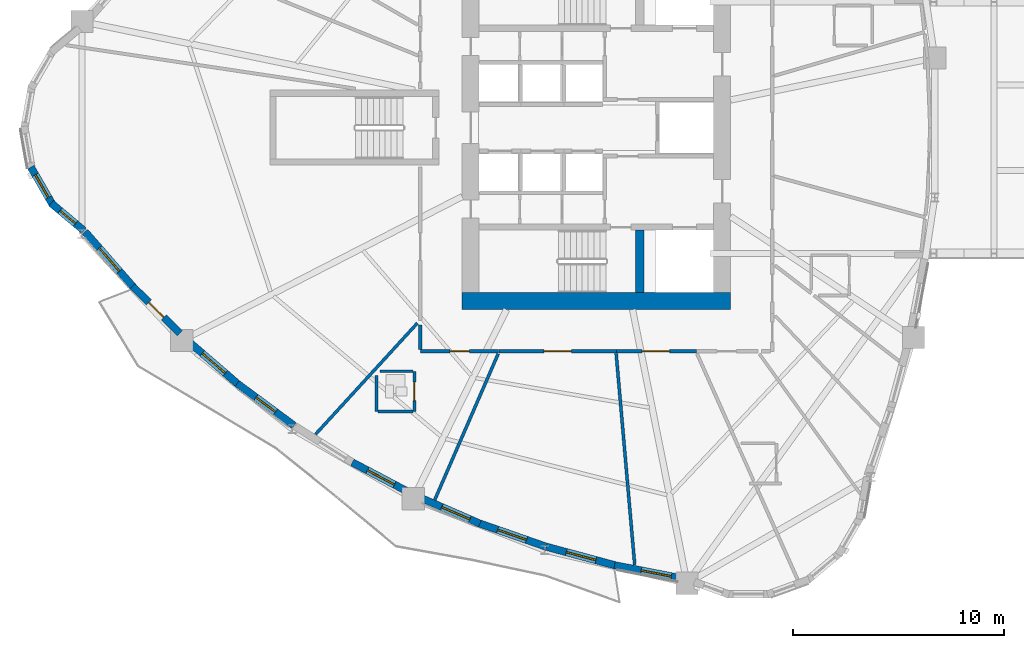
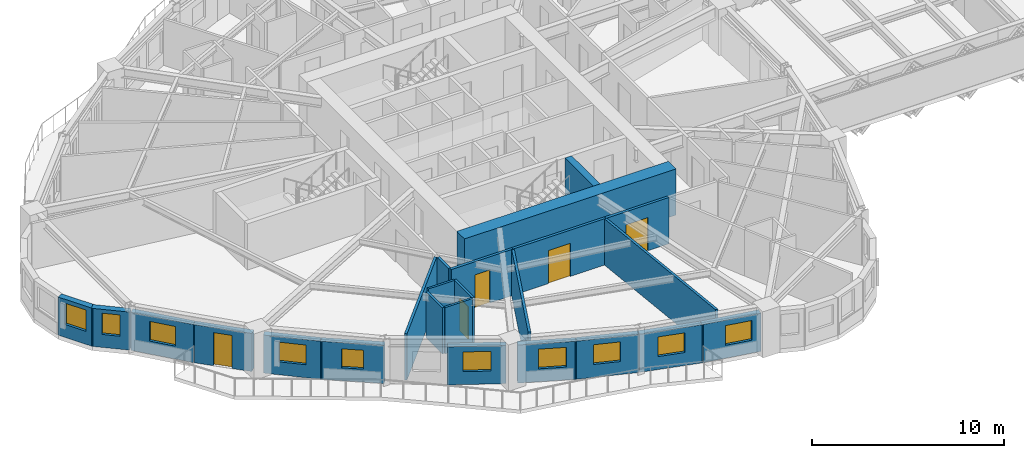
# One storey, part 4 of 16: 24 walls, 10 windows, 5 doors, 15 openings.
"""IFC4 building model written with IfcOpenShell, lengths in metres."""

from ifc_helpers import new_model, si_unit, direction, frame, frame_2d, origin, place, context, subcontext, project, spatial, rectangle, extrude, source, transform, mapped, material, layer, layer_set, type_object, element, fill, save


model = new_model("IFC4")

# Units and contexts
model_context = context("Model", 3, precision=1e-05, world=origin(), true_north=direction((0.0, 1.0)))
body_context = subcontext(model_context, "Body", "Model", "MODEL_VIEW")
ifc_project = project(units=[si_unit("LENGTHUNIT", "METRE"), si_unit("AREAUNIT", "SQUARE_METRE"), si_unit("VOLUMEUNIT", "CUBIC_METRE"), si_unit("PLANEANGLEUNIT", "RADIAN"), si_unit("MASSUNIT", "GRAM", prefix="KILO")], contexts=[model_context])

# Site, building, storey
site_placement = place(None, origin())
site = spatial("IfcSite", under=ifc_project, at=site_placement, CompositionType="ELEMENT")
building_placement = place(site_placement, origin())
building = spatial("IfcBuilding", under=site, at=building_placement, Name="Qafzar Sky-Pleat Residences", CompositionType="ELEMENT")
storey_placement = place(building_placement, frame((0.0, 0.0, 30.199951171875)))
storey = spatial("IfcBuildingStorey", under=building, at=storey_placement, Name="L08", CompositionType="ELEMENT", Elevation=30.199951171875)

# Wall, opening, door
ifc_material_1 = material(Name="Acoustic gypsum plasterboard partition", Category="gypsum")
ifc_layer_1 = layer(ifc_material_1, 0.159912109375)
ifc_layer_set_1 = layer_set([ifc_layer_1], Name="Acoustic gypsum plasterboard partition")
wall_type_1 = type_object("IfcWallType", Name="PART-COR-160", PredefinedType="PARTITIONING", material=ifc_layer_set_1)
wall_1_placement = place(storey_placement, frame((31.2939453125, 15.419921875, 0.0), z_axis=(0.0, 0.0, 1.0), x_axis=(-1.0, 0.0, 0.0)))
wall_1 = element("IfcWall", 1, at=wall_1_placement, inside=storey, type_object=wall_type_1, Name="L08 Partition Wall PART-L08-PW-003", PredefinedType="PARTITIONING", context=body_context, shape_type="SweptSolid", body=[
    extrude(rectangle(XDim=5.553955078125, YDim=0.159912109375, at=frame_2d((2.77685546875, 0.0))), origin(), (0.0, 0.0, 1.0), 2.93505859375),
])
opening_1_placement = place(wall_1_placement, frame((2.12646484375, 0.0, 0.0)))
opening_1 = element("IfcOpeningElement", 2, at=opening_1_placement, cuts=wall_1, Name="Opening ID-05", PredefinedType="OPENING", context=body_context, shape_type="SweptSolid", body=[
    extrude(rectangle(XDim=1.300048828125, YDim=2.10009765625, at=frame_2d((0.64990234375, 1.050048828125))), frame((0.0, 0.08984375, 0.0), z_axis=(0.0, -1.0, 0.0), x_axis=(1.0, 0.0, 0.0)), (0.0, 0.0, 1.0), 0.179931640625),
])
ifc_material_2 = material(Name="Timber-faced fire door", Category="wood")
door_type_1 = type_object("IfcDoorType", Name="DR-LNG-1300", OperationType="DOUBLE_DOOR_SINGLE_SWING", PredefinedType="DOOR", material=ifc_material_2)
shared_shape_1 = source(origin(), body_context, "Body", "SweptSolid", [
    extrude(rectangle(XDim=1.300048828125, YDim=2.10009765625, at=frame_2d((0.64990234375, 1.050048828125))), frame((0.0, 0.02490234375, 0.0), z_axis=(0.0, -1.0, 0.0), x_axis=(1.0, 0.0, 0.0)), (0.0, 0.0, 1.0), 0.050048828125),
])
door_1_placement = place(opening_1_placement, origin())
door_1 = element("IfcDoor", 3, at=door_1_placement, inside=storey, type_object=door_type_1, Name="L08 Tutorial Huddle Room Door", OperationType="DOUBLE_DOOR_SINGLE_SWING", OverallHeight=2.10009765625, OverallWidth=1.300048828125, PredefinedType="DOOR", context=body_context, shape_type="MappedRepresentation", body=[
    mapped(shared_shape_1, transform((0.0, 0.0, 0.0), x_axis=(1.0, 0.0, 0.0), y_axis=(0.0, 1.0, 0.0), z_axis=(0.0, 0.0, 1.0), scale=1.0)),
])
fill(opening_1, door_1)

wall_2_placement = place(storey_placement, frame((35.080078125, 15.419921875, 0.0), z_axis=(0.0, 0.0, 1.0), x_axis=(-1.0, 0.0, 0.0)))
wall_2 = element("IfcWall", 4, at=wall_2_placement, inside=storey, type_object=wall_type_1, Name="L08 Partition Wall PART-L08-PW-009", PredefinedType="PARTITIONING", context=body_context, shape_type="SweptSolid", body=[
    extrude(rectangle(XDim=3.77099609375, YDim=0.159912109375, at=frame_2d((1.885498046875, 0.0))), origin(), (0.0, 0.0, 1.0), 2.93505859375),
])
opening_2_placement = place(wall_2_placement, frame((1.258544921875, 0.0, 0.0)))
opening_2 = element("IfcOpeningElement", 5, at=opening_2_placement, cuts=wall_2, Name="Opening ID-05", PredefinedType="OPENING", context=body_context, shape_type="SweptSolid", body=[
    extrude(rectangle(XDim=1.300048828125, YDim=2.10009765625, at=frame_2d((0.64990234375, 1.050048828125))), frame((0.0, 0.08984375, 0.0), z_axis=(0.0, -1.0, 0.0), x_axis=(1.0, 0.0, 0.0)), (0.0, 0.0, 1.0), 0.179931640625),
])
door_2_placement = place(opening_2_placement, origin())
door_2 = element("IfcDoor", 6, at=door_2_placement, inside=storey, type_object=door_type_1, Name="L08 Research Conference Room Door", OperationType="DOUBLE_DOOR_SINGLE_SWING", OverallHeight=2.10009765625, OverallWidth=1.300048828125, PredefinedType="DOOR", context=body_context, shape_type="MappedRepresentation", body=[
    mapped(shared_shape_1, transform((0.0, 0.0, 0.0), x_axis=(1.0, 0.0, 0.0), y_axis=(0.0, 1.0, 0.0), z_axis=(0.0, 0.0, 1.0), scale=1.0)),
])
fill(opening_2, door_2)

wall_3_placement = place(storey_placement, frame((25.72509765625, 15.419921875, 0.0), z_axis=(0.0, 0.0, 1.0), x_axis=(-1.0, 0.0, 0.0)))
wall_3 = element("IfcWall", 7, at=wall_3_placement, inside=storey, type_object=wall_type_1, Name="L08 Partition Wall PART-L08-PW-011", PredefinedType="PARTITIONING", context=body_context, shape_type="SweptSolid", body=[
    extrude(rectangle(XDim=3.705078125, YDim=0.159912109375, at=frame_2d((1.8525390625, 0.0))), origin(), (0.0, 0.0, 1.0), 2.93505859375),
])
opening_3_placement = place(wall_3_placement, frame((1.376953125, 0.0, 0.0)))
opening_3 = element("IfcOpeningElement", 8, at=opening_3_placement, cuts=wall_3, Name="Opening ID-04", PredefinedType="OPENING", context=body_context, shape_type="SweptSolid", body=[
    extrude(rectangle(XDim=0.919921875, YDim=2.10009765625, at=frame_2d((0.4599609375, 1.050048828125))), frame((0.0, 0.08984375, 0.0), z_axis=(0.0, -1.0, 0.0), x_axis=(1.0, 0.0, 0.0)), (0.0, 0.0, 1.0), 0.179931640625),
])
door_type_2 = type_object("IfcDoorType", Name="DR-BED-920", OperationType="NOTDEFINED", PredefinedType="DOOR", material=ifc_material_2)
shared_shape_2 = source(origin(), body_context, "Body", "SweptSolid", [
    extrude(rectangle(XDim=0.919921875, YDim=2.10009765625, at=frame_2d((0.4599609375, 1.050048828125))), frame((0.0, 0.02490234375, 0.0), z_axis=(0.0, -1.0, 0.0), x_axis=(1.0, 0.0, 0.0)), (0.0, 0.0, 1.0), 0.050048828125),
])
door_3_placement = place(opening_3_placement, origin())
door_3 = element("IfcDoor", 9, at=door_3_placement, inside=storey, type_object=door_type_2, Name="L08 Co-Living Bedroom 6 Door", OperationType="SINGLE_SWING_LEFT", OverallHeight=2.10009765625, OverallWidth=0.919921875, PredefinedType="DOOR", context=body_context, shape_type="MappedRepresentation", body=[
    mapped(shared_shape_2, transform((0.0, 0.0, 0.0), x_axis=(1.0, 0.0, 0.0), y_axis=(0.0, 1.0, 0.0), z_axis=(0.0, 0.0, 1.0), scale=1.0)),
])
fill(opening_3, door_3)

# Walls
wall_4_placement = place(storey_placement, frame((22.02001953125, 15.508056640625, 0.0), z_axis=(0.0, 0.0, 1.0), x_axis=(0.0, 1.0, 0.0)))
element("IfcWall", 10, at=wall_4_placement, inside=storey, type_object=wall_type_1, Name="L08 Partition Wall PART-L08-PW-088", PredefinedType="PARTITIONING", context=body_context, shape_type="SweptSolid", body=[
    extrude(rectangle(XDim=1.1572265625, YDim=0.159912109375, at=frame_2d((0.57861328125, 0.0))), origin(), (0.0, 0.0, 1.0), 2.93505859375),
])
ifc_layer_2 = layer(ifc_material_1, 0.14501953125)
ifc_layer_set_2 = layer_set([ifc_layer_2], Name="Acoustic gypsum plasterboard partition")
wall_type_2 = type_object("IfcWallType", Name="PART-UNIT-145", PredefinedType="PARTITIONING", material=ifc_layer_set_2)
wall_5_placement = place(storey_placement, frame((31.287353515625, 15.32568359375, 0.0), z_axis=(0.0, 0.0, 1.0), x_axis=(0.087404477037, -0.99617290537, 0.0)))
element("IfcWall", 11, at=wall_5_placement, inside=storey, type_object=wall_type_2, Name="L08 Partition Wall PART-L08-PW-037", PredefinedType="PARTITIONING", context=body_context, shape_type="SweptSolid", body=[
    extrude(rectangle(XDim=10.047119140625, YDim=0.14501953125, at=frame_2d((5.0234375, 0.0))), origin(), (0.0, 0.0, 1.0), 2.93505859375),
])
wall_6_placement = place(storey_placement, frame((22.705078125, 8.392333984375, 0.0), z_axis=(0.0, 0.0, 1.0), x_axis=(0.398228422372, 0.917286282256, 0.0)))
element("IfcWall", 12, at=wall_6_placement, inside=storey, type_object=wall_type_2, Name="L08 Partition Wall PART-L08-PW-040", PredefinedType="PARTITIONING", context=body_context, shape_type="SweptSolid", body=[
    extrude(rectangle(XDim=7.53466796875, YDim=0.14501953125, at=frame_2d((3.767333984375, 0.0))), origin(), (0.0, 0.0, 1.0), 2.93505859375),
])
wall_7_placement = place(storey_placement, frame((17.064453125, 11.493408203125, 0.0), z_axis=(0.0, 0.0, 1.0), x_axis=(0.67534166785, 0.737505004502, 0.0)))
element("IfcWall", 13, at=wall_7_placement, inside=storey, type_object=wall_type_2, Name="L08 Partition Wall PART-L08-PW-045", PredefinedType="PARTITIONING", context=body_context, shape_type="SweptSolid", body=[
    extrude(rectangle(XDim=7.132080078125, YDim=0.14501953125, at=frame_2d((3.56591796875, 0.0))), origin(), (0.0, 0.0, 1.0), 2.93505859375),
])

# Wall, opening, door
ifc_material_3 = material(Name="Moisture-resistant gypsum partition", Category="gypsum")
ifc_layer_3 = layer(ifc_material_3, 0.1298828125)
ifc_layer_set_3 = layer_set([ifc_layer_3], Name="Moisture-resistant gypsum partition")
wall_type_3 = type_object("IfcWallType", Name="PART-WET-130", PredefinedType="PARTITIONING", material=ifc_layer_set_3)
wall_8_placement = place(storey_placement, frame((21.743896484375, 12.572998046875, 0.0), z_axis=(0.0, 0.0, 1.0), x_axis=(0.0, 1.0, 0.0)))
wall_8 = element("IfcWall", 14, at=wall_8_placement, inside=storey, type_object=wall_type_3, Name="L08 Partition Wall PART-L08-PW-021", PredefinedType="PARTITIONING", context=body_context, shape_type="SweptSolid", body=[
    extrude(rectangle(XDim=1.89990234375, YDim=0.1298828125, at=frame_2d((0.949951171875, 0.0))), origin(), (0.0, 0.0, 1.0), 2.93505859375),
])
opening_4_placement = place(wall_8_placement, frame((0.510009765625, 0.0, 0.0)))
opening_4 = element("IfcOpeningElement", 15, at=opening_4_placement, cuts=wall_8, Name="Opening ID-07", PredefinedType="OPENING", context=body_context, shape_type="SweptSolid", body=[
    extrude(rectangle(XDim=0.8798828125, YDim=2.050048828125, at=frame_2d((0.43994140625, 1.02490234375))), frame((0.0, 0.074951171875, 0.0), z_axis=(0.0, -1.0, 0.0), x_axis=(1.0, 0.0, 0.0)), (0.0, 0.0, 1.0), 0.14990234375),
])
door_type_3 = type_object("IfcDoorType", Name="DR-WET-880", OperationType="NOTDEFINED", PredefinedType="DOOR", material=ifc_material_2)
shared_shape_3 = source(origin(), body_context, "Body", "SweptSolid", [
    extrude(rectangle(XDim=0.8798828125, YDim=2.050048828125, at=frame_2d((0.43994140625, 1.02490234375))), frame((0.0, 0.02490234375, 0.0), z_axis=(0.0, -1.0, 0.0), x_axis=(1.0, 0.0, 0.0)), (0.0, 0.0, 1.0), 0.050048828125),
])
door_4_placement = place(opening_4_placement, origin())
door_4 = element("IfcDoor", 16, at=door_4_placement, inside=storey, type_object=door_type_3, Name="L08 En-suite Bathroom 6 Door", OperationType="SINGLE_SWING_LEFT", OverallHeight=2.050048828125, OverallWidth=0.8798828125, PredefinedType="DOOR", context=body_context, shape_type="MappedRepresentation", body=[
    mapped(shared_shape_3, transform((0.0, 0.0, 0.0), x_axis=(1.0, 0.0, 0.0), y_axis=(0.0, 1.0, 0.0), z_axis=(0.0, 0.0, 1.0), scale=1.0)),
])
fill(opening_4, door_4)

# Walls
wall_9_placement = place(storey_placement, frame((19.944091796875, 12.572998046875, 0.0), z_axis=(0.0, 0.0, 1.0), x_axis=(0.0, 1.0, 0.0)))
element("IfcWall", 17, at=wall_9_placement, inside=storey, type_object=wall_type_3, Name="L08 Partition Wall PART-L08-PW-062", PredefinedType="PARTITIONING", context=body_context, shape_type="SweptSolid", body=[
    extrude(rectangle(XDim=1.713623046875, YDim=0.1298828125, at=frame_2d((0.85693359375, 0.0))), origin(), (0.0, 0.0, 1.0), 2.93505859375),
])
wall_10_placement = place(storey_placement, frame((20.10986328125, 14.472900390625, 0.0), z_axis=(0.0, 0.0, 1.0), x_axis=(1.0, 0.0, 0.0)))
element("IfcWall", 18, at=wall_10_placement, inside=storey, type_object=wall_type_3, Name="L08 Partition Wall PART-L08-PW-072", PredefinedType="PARTITIONING", context=body_context, shape_type="SweptSolid", body=[
    extrude(rectangle(XDim=1.56103515625, YDim=0.1298828125, at=frame_2d((0.780517578125, 0.0))), origin(), (0.0, 0.0, 1.0), 2.93505859375),
])
wall_11_placement = place(storey_placement, frame((20.01708984375, 12.572998046875, 0.0), z_axis=(0.0, 0.0, 1.0), x_axis=(1.0, 0.0, 0.0)))
element("IfcWall", 19, at=wall_11_placement, inside=storey, type_object=wall_type_3, Name="L08 Partition Wall PART-L08-PW-073", PredefinedType="PARTITIONING", context=body_context, shape_type="SweptSolid", body=[
    extrude(rectangle(XDim=1.65380859375, YDim=0.1298828125, at=frame_2d((0.826904296875, 0.0))), origin(), (0.0, 0.0, 1.0), 2.93505859375),
])

# Wall, opening, window
ifc_material_4 = material(Name="Precast concrete C40/50 with honed Riyadh limestone", Category="concrete")
ifc_layer_4 = layer(ifc_material_4, 0.35009765625)
ifc_layer_set_4 = layer_set([ifc_layer_4], Name="Precast concrete C40/50 with honed Riyadh limestone")
wall_type_4 = type_object("IfcWallType", Name="WALL-EXT-350", PredefinedType="SOLIDWALL", material=ifc_layer_set_4)
wall_12_placement = place(storey_placement, frame((3.59228515625, 24.13671875, 0.0), z_axis=(0.0, 0.0, 1.0), x_axis=(0.499995423472, -0.866028046028, 0.0)))
wall_12 = element("IfcWall", 20, at=wall_12_placement, inside=storey, type_object=wall_type_4, Name="L08 Limestone Facade Wall 5", PredefinedType="SOLIDWALL", context=body_context, shape_type="SweptSolid", body=[
    extrude(rectangle(XDim=2.09033203125, YDim=0.35009765625, at=frame_2d((1.045166015625, 0.0))), origin(), (0.0, 0.0, 1.0), 2.4150390625),
])
opening_5_placement = place(wall_12_placement, frame((0.420166015625, 0.0, 0.820068359375)))
opening_5 = element("IfcOpeningElement", 21, at=opening_5_placement, cuts=wall_12, Name="Opening WN-11", PredefinedType="OPENING", context=body_context, shape_type="SweptSolid", body=[
    extrude(rectangle(XDim=1.25, YDim=1.35009765625, at=frame_2d((0.625, 0.675048828125))), frame((0.0, 0.18505859375, 0.0), z_axis=(0.0, -1.0, 0.0), x_axis=(1.0, 0.0, 0.0)), (0.0, 0.0, 1.0), 0.3701171875),
])
ifc_material_5 = material(Name="Solar-control low-E glass in bronze aluminium frame", Category="glass")
window_type_1 = type_object("IfcWindowType", Name="WIN-11", PartitioningType="SINGLE_PANEL", PredefinedType="WINDOW", material=ifc_material_5)
shared_shape_4 = source(origin(), body_context, "Body", "SweptSolid", [
    extrude(rectangle(XDim=1.25, YDim=1.35009765625, at=frame_2d((0.625, 0.675048828125))), frame((0.0, 0.030029296875, 0.0), z_axis=(0.0, -1.0, 0.0), x_axis=(1.0, 0.0, 0.0)), (0.0, 0.0, 1.0), 0.06005859375),
])
window_1_placement = place(opening_5_placement, origin())
window_1 = element("IfcWindow", 22, at=window_1_placement, inside=storey, type_object=window_type_1, Name="L08 Punched Facade Window 05", OverallHeight=1.35009765625, OverallWidth=1.25, PartitioningType="SINGLE_PANEL", PredefinedType="WINDOW", context=body_context, shape_type="MappedRepresentation", body=[
    mapped(shared_shape_4, transform((0.0, 0.0, 0.0), x_axis=(1.0, 0.0, 0.0), y_axis=(0.0, 1.0, 0.0), z_axis=(0.0, 0.0, 1.0), scale=1.0)),
])
fill(opening_5, window_1)

wall_13_placement = place(storey_placement, frame((4.55029296875, 22.430419921875, 0.0), z_axis=(0.0, 0.0, 1.0), x_axis=(0.766040796373, -0.642791955684, 0.0)))
wall_13 = element("IfcWall", 23, at=wall_13_placement, inside=storey, type_object=wall_type_4, Name="L08 Limestone Facade Wall 6", PredefinedType="SOLIDWALL", context=body_context, shape_type="SweptSolid", body=[
    extrude(rectangle(XDim=2.032470703125, YDim=0.35009765625, at=frame_2d((1.01611328125, 0.0))), origin(), (0.0, 0.0, 1.0), 2.4150390625),
])
opening_6_placement = place(wall_13_placement, frame((0.55126953125, 0.0, 0.820068359375)))
opening_6 = element("IfcOpeningElement", 24, at=opening_6_placement, cuts=wall_13, Name="Opening WN-12", PredefinedType="OPENING", context=body_context, shape_type="SweptSolid", body=[
    extrude(rectangle(XDim=0.949951171875, YDim=1.35009765625, at=frame_2d((0.47509765625, 0.675048828125))), frame((0.0, 0.18505859375, 0.0), z_axis=(0.0, -1.0, 0.0), x_axis=(1.0, 0.0, 0.0)), (0.0, 0.0, 1.0), 0.3701171875),
])
window_type_2 = type_object("IfcWindowType", Name="WIN-12", PartitioningType="SINGLE_PANEL", PredefinedType="WINDOW", material=ifc_material_5)
shared_shape_5 = source(origin(), body_context, "Body", "SweptSolid", [
    extrude(rectangle(XDim=0.949951171875, YDim=1.35009765625, at=frame_2d((0.47509765625, 0.675048828125))), frame((0.0, 0.030029296875, 0.0), z_axis=(0.0, -1.0, 0.0), x_axis=(1.0, 0.0, 0.0)), (0.0, 0.0, 1.0), 0.06005859375),
])
window_2_placement = place(opening_6_placement, origin())
window_2 = element("IfcWindow", 25, at=window_2_placement, inside=storey, type_object=window_type_2, Name="L08 Punched Facade Window 06", OverallHeight=1.35009765625, OverallWidth=0.949951171875, PartitioningType="SINGLE_PANEL", PredefinedType="WINDOW", context=body_context, shape_type="MappedRepresentation", body=[
    mapped(shared_shape_5, transform((0.0, 0.0, 0.0), x_axis=(1.0, 0.0, 0.0), y_axis=(0.0, 1.0, 0.0), z_axis=(0.0, 0.0, 1.0), scale=1.0)),
])
fill(opening_6, window_2)

wall_14_placement = place(storey_placement, frame((6.155029296875, 21.0771484375, 0.0), z_axis=(0.0, 0.0, 1.0), x_axis=(0.657593785467, -0.753372692175, 0.0)))
wall_14 = element("IfcWall", 26, at=wall_14_placement, inside=storey, type_object=wall_type_4, Name="L08 Limestone Facade Wall 7", PredefinedType="SOLIDWALL", context=body_context, shape_type="SweptSolid", body=[
    extrude(rectangle(XDim=3.512451171875, YDim=0.35009765625, at=frame_2d((1.75634765625, 0.0))), origin(), (0.0, 0.0, 1.0), 2.4150390625),
])
opening_7_placement = place(wall_14_placement, frame((1.021240234375, 0.0, 0.820068359375)))
opening_7 = element("IfcOpeningElement", 27, at=opening_7_placement, cuts=wall_14, Name="Opening WN-15", PredefinedType="OPENING", context=body_context, shape_type="SweptSolid", body=[
    extrude(rectangle(XDim=1.449951171875, YDim=1.25, at=frame_2d((0.72509765625, 0.625))), frame((0.0, 0.18505859375, 0.0), z_axis=(0.0, -1.0, 0.0), x_axis=(1.0, 0.0, 0.0)), (0.0, 0.0, 1.0), 0.3701171875),
])
window_type_3 = type_object("IfcWindowType", Name="WIN-15", PartitioningType="SINGLE_PANEL", PredefinedType="WINDOW", material=ifc_material_5)
shared_shape_6 = source(origin(), body_context, "Body", "SweptSolid", [
    extrude(rectangle(XDim=1.449951171875, YDim=1.25, at=frame_2d((0.72509765625, 0.625))), frame((0.0, 0.030029296875, 0.0), z_axis=(0.0, -1.0, 0.0), x_axis=(1.0, 0.0, 0.0)), (0.0, 0.0, 1.0), 0.06005859375),
])
window_3_placement = place(opening_7_placement, origin())
window_3 = element("IfcWindow", 28, at=window_3_placement, inside=storey, type_object=window_type_3, Name="L08 Punched Facade Window 07", OverallHeight=1.25, OverallWidth=1.449951171875, PartitioningType="SINGLE_PANEL", PredefinedType="WINDOW", context=body_context, shape_type="MappedRepresentation", body=[
    mapped(shared_shape_6, transform((0.0, 0.0, 0.0), x_axis=(1.0, 0.0, 0.0), y_axis=(0.0, 1.0, 0.0), z_axis=(0.0, 0.0, 1.0), scale=1.0)),
])
fill(opening_7, window_3)

# Wall, opening, door
wall_15_placement = place(storey_placement, frame((8.40478515625, 18.495361328125, 0.0), z_axis=(0.0, 0.0, 1.0), x_axis=(0.708380670467, -0.705830592783, 0.0)))
wall_15 = element("IfcWall", 29, at=wall_15_placement, inside=storey, type_object=wall_type_4, Name="L08 Limestone Facade Wall 8", PredefinedType="SOLIDWALL", context=body_context, shape_type="SweptSolid", body=[
    extrude(rectangle(XDim=3.159423828125, YDim=0.35009765625, at=frame_2d((1.57958984375, 0.0))), origin(), (0.0, 0.0, 1.0), 2.4150390625),
])
opening_8_placement = place(wall_15_placement, frame((1.07958984375, 0.0, 0.0)))
opening_8 = element("IfcOpeningElement", 30, at=opening_8_placement, cuts=wall_15, Name="Opening ED-05", PredefinedType="OPENING", context=body_context, shape_type="SweptSolid", body=[
    extrude(rectangle(XDim=1.0, YDim=2.10009765625, at=frame_2d((0.5, 1.050048828125))), frame((0.0, 0.18505859375, 0.0), z_axis=(0.0, -1.0, 0.0), x_axis=(1.0, 0.0, 0.0)), (0.0, 0.0, 1.0), 0.3701171875),
])
ifc_material_6 = material(Name="Glazed bronze aluminium door", Category="aluminium")
door_type_4 = type_object("IfcDoorType", Name="DR-BAL-1000", OperationType="NOTDEFINED", PredefinedType="DOOR", material=ifc_material_6)
shared_shape_7 = source(origin(), body_context, "Body", "SweptSolid", [
    extrude(rectangle(XDim=1.0, YDim=2.10009765625, at=frame_2d((0.5, 1.050048828125))), frame((0.0, 0.02490234375, 0.0), z_axis=(0.0, -1.0, 0.0), x_axis=(1.0, 0.0, 0.0)), (0.0, 0.0, 1.0), 0.050048828125),
])
door_5_placement = place(opening_8_placement, origin())
door_5 = element("IfcDoor", 31, at=door_5_placement, inside=storey, type_object=door_type_4, Name="L08 Glazed Balcony Door 2", OperationType="SINGLE_SWING_LEFT", OverallHeight=2.10009765625, OverallWidth=1.0, PredefinedType="DOOR", context=body_context, shape_type="MappedRepresentation", body=[
    mapped(shared_shape_7, transform((0.0, 0.0, 0.0), x_axis=(1.0, 0.0, 0.0), y_axis=(0.0, 1.0, 0.0), z_axis=(0.0, 0.0, 1.0), scale=1.0)),
])
fill(opening_8, door_5)

# Wall, opening, window
wall_16_placement = place(storey_placement, frame((11.0732421875, 15.8662109375, 0.0), z_axis=(0.0, 0.0, 1.0), x_axis=(0.75751592545, -0.652816683833, 0.0)))
wall_16 = element("IfcWall", 32, at=wall_16_placement, inside=storey, type_object=wall_type_4, Name="L08 Limestone Facade Wall 9", PredefinedType="SOLIDWALL", context=body_context, shape_type="SweptSolid", body=[
    extrude(rectangle(XDim=3.103759765625, YDim=0.35009765625, at=frame_2d((1.5517578125, 0.0))), origin(), (0.0, 0.0, 1.0), 2.4150390625),
])
opening_9_placement = place(wall_16_placement, frame((0.82177734375, 0.0, 0.820068359375)))
opening_9 = element("IfcOpeningElement", 33, at=opening_9_placement, cuts=wall_16, Name="Opening WN-15", PredefinedType="OPENING", context=body_context, shape_type="SweptSolid", body=[
    extrude(rectangle(XDim=1.449951171875, YDim=1.25, at=frame_2d((0.72509765625, 0.625))), frame((0.0, 0.18505859375, 0.0), z_axis=(0.0, -1.0, 0.0), x_axis=(1.0, 0.0, 0.0)), (0.0, 0.0, 1.0), 0.3701171875),
])
window_4_placement = place(opening_9_placement, origin())
window_4 = element("IfcWindow", 34, at=window_4_placement, inside=storey, type_object=window_type_3, Name="L08 Punched Facade Window 09", OverallHeight=1.25, OverallWidth=1.449951171875, PartitioningType="SINGLE_PANEL", PredefinedType="WINDOW", context=body_context, shape_type="MappedRepresentation", body=[
    mapped(shared_shape_6, transform((0.0, 0.0, 0.0), x_axis=(1.0, 0.0, 0.0), y_axis=(0.0, 1.0, 0.0), z_axis=(0.0, 0.0, 1.0), scale=1.0)),
])
fill(opening_9, window_4)

wall_17_placement = place(storey_placement, frame((13.354736328125, 13.8955078125, 0.0), z_axis=(0.0, 0.0, 1.0), x_axis=(0.803836316566, -0.594850549441, 0.0)))
wall_17 = element("IfcWall", 35, at=wall_17_placement, inside=storey, type_object=wall_type_4, Name="L08 Limestone Facade Wall 10", PredefinedType="SOLIDWALL", context=body_context, shape_type="SweptSolid", body=[
    extrude(rectangle(XDim=3.345703125, YDim=0.35009765625, at=frame_2d((1.6728515625, 0.0))), origin(), (0.0, 0.0, 1.0), 2.4150390625),
])
opening_10_placement = place(wall_17_placement, frame((1.10791015625, 0.0, 0.820068359375)))
opening_10 = element("IfcOpeningElement", 36, at=opening_10_placement, cuts=wall_17, Name="Opening WN-16", PredefinedType="OPENING", context=body_context, shape_type="SweptSolid", body=[
    extrude(rectangle(XDim=1.14990234375, YDim=1.199951171875, at=frame_2d((0.574951171875, 0.60009765625))), frame((0.0, 0.18505859375, 0.0), z_axis=(0.0, -1.0, 0.0), x_axis=(1.0, 0.0, 0.0)), (0.0, 0.0, 1.0), 0.3701171875),
])
window_type_4 = type_object("IfcWindowType", Name="WIN-16", PartitioningType="SINGLE_PANEL", PredefinedType="WINDOW", material=ifc_material_5)
shared_shape_8 = source(origin(), body_context, "Body", "SweptSolid", [
    extrude(rectangle(XDim=1.14990234375, YDim=1.199951171875, at=frame_2d((0.574951171875, 0.60009765625))), frame((0.0, 0.030029296875, 0.0), z_axis=(0.0, -1.0, 0.0), x_axis=(1.0, 0.0, 0.0)), (0.0, 0.0, 1.0), 0.06005859375),
])
window_5_placement = place(opening_10_placement, origin())
window_5 = element("IfcWindow", 37, at=window_5_placement, inside=storey, type_object=window_type_4, Name="L08 Punched Facade Window 10", OverallHeight=1.199951171875, OverallWidth=1.14990234375, PartitioningType="SINGLE_PANEL", PredefinedType="WINDOW", context=body_context, shape_type="MappedRepresentation", body=[
    mapped(shared_shape_8, transform((0.0, 0.0, 0.0), x_axis=(1.0, 0.0, 0.0), y_axis=(0.0, 1.0, 0.0), z_axis=(0.0, 0.0, 1.0), scale=1.0)),
])
fill(opening_10, window_5)

wall_18_placement = place(storey_placement, frame((18.804931640625, 10.1630859375, 0.0), z_axis=(0.0, 0.0, 1.0), x_axis=(0.884387509242, -0.466753396877, 0.0)))
wall_18 = element("IfcWall", 38, at=wall_18_placement, inside=storey, type_object=wall_type_4, Name="L08 Limestone Facade Wall 12", PredefinedType="SOLIDWALL", context=body_context, shape_type="SweptSolid", body=[
    extrude(rectangle(XDim=3.046875, YDim=0.35009765625, at=frame_2d((1.5234375, 0.0))), origin(), (0.0, 0.0, 1.0), 2.4150390625),
])
opening_11_placement = place(wall_18_placement, frame((0.803466796875, 0.0, 0.820068359375)))
opening_11 = element("IfcOpeningElement", 39, at=opening_11_placement, cuts=wall_18, Name="Opening WN-15", PredefinedType="OPENING", context=body_context, shape_type="SweptSolid", body=[
    extrude(rectangle(XDim=1.449951171875, YDim=1.25, at=frame_2d((0.72509765625, 0.625))), frame((0.0, 0.18505859375, 0.0), z_axis=(0.0, -1.0, 0.0), x_axis=(1.0, 0.0, 0.0)), (0.0, 0.0, 1.0), 0.3701171875),
])
window_6_placement = place(opening_11_placement, origin())
window_6 = element("IfcWindow", 40, at=window_6_placement, inside=storey, type_object=window_type_3, Name="L08 Punched Facade Window 12", OverallHeight=1.25, OverallWidth=1.449951171875, PartitioningType="SINGLE_PANEL", PredefinedType="WINDOW", context=body_context, shape_type="MappedRepresentation", body=[
    mapped(shared_shape_6, transform((0.0, 0.0, 0.0), x_axis=(1.0, 0.0, 0.0), y_axis=(0.0, 1.0, 0.0), z_axis=(0.0, 0.0, 1.0), scale=1.0)),
])
fill(opening_11, window_6)

wall_19_placement = place(storey_placement, frame((22.028076171875, 8.487060546875, 0.0), z_axis=(0.0, 0.0, 1.0), x_axis=(0.917081449464, -0.398699906006, 0.0)))
wall_19 = element("IfcWall", 41, at=wall_19_placement, inside=storey, type_object=wall_type_4, Name="L08 Limestone Facade Wall 13", PredefinedType="SOLIDWALL", context=body_context, shape_type="SweptSolid", body=[
    extrude(rectangle(XDim=3.06591796875, YDim=0.35009765625, at=frame_2d((1.532958984375, 0.0))), origin(), (0.0, 0.0, 1.0), 2.4150390625),
])
opening_12_placement = place(wall_19_placement, frame((1.097412109375, 0.0, 0.820068359375)))
opening_12 = element("IfcOpeningElement", 42, at=opening_12_placement, cuts=wall_19, Name="Opening WN-15", PredefinedType="OPENING", context=body_context, shape_type="SweptSolid", body=[
    extrude(rectangle(XDim=1.449951171875, YDim=1.25, at=frame_2d((0.72509765625, 0.625))), frame((0.0, 0.18505859375, 0.0), z_axis=(0.0, -1.0, 0.0), x_axis=(1.0, 0.0, 0.0)), (0.0, 0.0, 1.0), 0.3701171875),
])
window_7_placement = place(opening_12_placement, origin())
window_7 = element("IfcWindow", 43, at=window_7_placement, inside=storey, type_object=window_type_3, Name="L08 Punched Facade Window 13-2", OverallHeight=1.25, OverallWidth=1.449951171875, PartitioningType="SINGLE_PANEL", PredefinedType="WINDOW", context=body_context, shape_type="MappedRepresentation", body=[
    mapped(shared_shape_6, transform((0.0, 0.0, 0.0), x_axis=(1.0, 0.0, 0.0), y_axis=(0.0, 1.0, 0.0), z_axis=(0.0, 0.0, 1.0), scale=1.0)),
])
fill(opening_12, window_7)

wall_20_placement = place(storey_placement, frame((24.757080078125, 7.297119140625, 0.0), z_axis=(0.0, 0.0, 1.0), x_axis=(0.944122401027, -0.329595042254, 0.0)))
wall_20 = element("IfcWall", 44, at=wall_20_placement, inside=storey, type_object=wall_type_4, Name="L08 Limestone Facade Wall 14", PredefinedType="SOLIDWALL", context=body_context, shape_type="SweptSolid", body=[
    extrude(rectangle(XDim=3.383544921875, YDim=0.35009765625, at=frame_2d((1.69189453125, 0.0))), origin(), (0.0, 0.0, 1.0), 2.4150390625),
])
opening_13_placement = place(wall_20_placement, frame((0.976806640625, 0.0, 0.820068359375)))
opening_13 = element("IfcOpeningElement", 45, at=opening_13_placement, cuts=wall_20, Name="Opening WN-15", PredefinedType="OPENING", context=body_context, shape_type="SweptSolid", body=[
    extrude(rectangle(XDim=1.449951171875, YDim=1.25, at=frame_2d((0.72509765625, 0.625))), frame((0.0, 0.18505859375, 0.0), z_axis=(0.0, -1.0, 0.0), x_axis=(1.0, 0.0, 0.0)), (0.0, 0.0, 1.0), 0.3701171875),
])
window_8_placement = place(opening_13_placement, origin())
window_8 = element("IfcWindow", 46, at=window_8_placement, inside=storey, type_object=window_type_3, Name="L08 Punched Facade Window 14", OverallHeight=1.25, OverallWidth=1.449951171875, PartitioningType="SINGLE_PANEL", PredefinedType="WINDOW", context=body_context, shape_type="MappedRepresentation", body=[
    mapped(shared_shape_6, transform((0.0, 0.0, 0.0), x_axis=(1.0, 0.0, 0.0), y_axis=(0.0, 1.0, 0.0), z_axis=(0.0, 0.0, 1.0), scale=1.0)),
])
fill(opening_13, window_8)

wall_21_placement = place(storey_placement, frame((27.977783203125, 6.173828125, 0.0), z_axis=(0.0, 0.0, 1.0), x_axis=(0.965451765427, -0.260581827136, 0.0)))
wall_21 = element("IfcWall", 47, at=wall_21_placement, inside=storey, type_object=wall_type_4, Name="L08 Limestone Facade Wall 15", PredefinedType="SOLIDWALL", context=body_context, shape_type="SweptSolid", body=[
    extrude(rectangle(XDim=3.439453125, YDim=0.35009765625, at=frame_2d((1.7197265625, 0.0))), origin(), (0.0, 0.0, 1.0), 2.4150390625),
])
opening_14_placement = place(wall_21_placement, frame((0.984619140625, 0.0, 0.820068359375)))
opening_14 = element("IfcOpeningElement", 48, at=opening_14_placement, cuts=wall_21, Name="Opening WN-15", PredefinedType="OPENING", context=body_context, shape_type="SweptSolid", body=[
    extrude(rectangle(XDim=1.449951171875, YDim=1.25, at=frame_2d((0.72509765625, 0.625))), frame((0.0, 0.18505859375, 0.0), z_axis=(0.0, -1.0, 0.0), x_axis=(1.0, 0.0, 0.0)), (0.0, 0.0, 1.0), 0.3701171875),
])
window_9_placement = place(opening_14_placement, origin())
window_9 = element("IfcWindow", 49, at=window_9_placement, inside=storey, type_object=window_type_3, Name="L08 Punched Facade Window 15", OverallHeight=1.25, OverallWidth=1.449951171875, PartitioningType="SINGLE_PANEL", PredefinedType="WINDOW", context=body_context, shape_type="MappedRepresentation", body=[
    mapped(shared_shape_6, transform((0.0, 0.0, 0.0), x_axis=(1.0, 0.0, 0.0), y_axis=(0.0, 1.0, 0.0), z_axis=(0.0, 0.0, 1.0), scale=1.0)),
])
fill(opening_14, window_9)

wall_22_placement = place(storey_placement, frame((31.212646484375, 5.297607421875, 0.0), z_axis=(0.0, 0.0, 1.0), x_axis=(0.9812345335, -0.192818023709, 0.0)))
wall_22 = element("IfcWall", 50, at=wall_22_placement, inside=storey, type_object=wall_type_4, Name="L08 Limestone Facade Wall 16", PredefinedType="SOLIDWALL", context=body_context, shape_type="SweptSolid", body=[
    extrude(rectangle(XDim=3.232421875, YDim=0.35009765625, at=frame_2d((1.6162109375, 0.0))), origin(), (0.0, 0.0, 1.0), 2.4150390625),
])
opening_15_placement = place(wall_22_placement, frame((1.287353515625, 0.0, 0.820068359375)))
opening_15 = element("IfcOpeningElement", 51, at=opening_15_placement, cuts=wall_22, Name="Opening WN-15", PredefinedType="OPENING", context=body_context, shape_type="SweptSolid", body=[
    extrude(rectangle(XDim=1.449951171875, YDim=1.25, at=frame_2d((0.72509765625, 0.625))), frame((0.0, 0.18505859375, 0.0), z_axis=(0.0, -1.0, 0.0), x_axis=(1.0, 0.0, 0.0)), (0.0, 0.0, 1.0), 0.3701171875),
])
window_10_placement = place(opening_15_placement, origin())
window_10 = element("IfcWindow", 52, at=window_10_placement, inside=storey, type_object=window_type_3, Name="L08 Punched Facade Window 16-2", OverallHeight=1.25, OverallWidth=1.449951171875, PartitioningType="SINGLE_PANEL", PredefinedType="WINDOW", context=body_context, shape_type="MappedRepresentation", body=[
    mapped(shared_shape_6, transform((0.0, 0.0, 0.0), x_axis=(1.0, 0.0, 0.0), y_axis=(0.0, 1.0, 0.0), z_axis=(0.0, 0.0, 1.0), scale=1.0)),
])
fill(opening_15, window_10)

# Walls
ifc_material_7 = material(Name="Concrete C60/75", Category="concrete")
ifc_layer_5 = layer(ifc_material_7, 0.39990234375)
ifc_layer_set_5 = layer_set([ifc_layer_5], Name="Concrete C60/75")
wall_type_5 = type_object("IfcWallType", Name="WALL-SHEAR-400", PredefinedType="SHEAR", material=ifc_layer_set_5)
wall_23_placement = place(storey_placement, frame((32.39990234375, 18.199951171875, 0.0), z_axis=(0.0, 0.0, 1.0), x_axis=(0.0, 1.0, 0.0)))
element("IfcWall", 53, at=wall_23_placement, inside=storey, type_object=wall_type_5, Name="L08 Stair ST1 East Dividing Wall", PredefinedType="SHEAR", context=body_context, shape_type="SweptSolid", body=[
    extrude(rectangle(XDim=2.949951171875, YDim=0.39990234375, at=frame_2d((1.47509765625, 0.0))), origin(), (0.0, 0.0, 1.0), 2.93505859375),
])
ifc_layer_6 = layer(ifc_material_7, 0.800048828125)
ifc_layer_set_6 = layer_set([ifc_layer_6], Name="Concrete C60/75")
wall_type_6 = type_object("IfcWallType", Name="WALL-SHEAR-800", PredefinedType="SHEAR", material=ifc_layer_set_6)
wall_24_placement = place(storey_placement, frame((24.0, 17.800048828125, 0.0), z_axis=(0.0, 0.0, 1.0), x_axis=(1.0, 0.0, 0.0)))
element("IfcWall", 54, at=wall_24_placement, inside=storey, type_object=wall_type_6, Name="L08 CORE wall S", PredefinedType="SHEAR", context=body_context, shape_type="SweptSolid", body=[
    extrude(rectangle(XDim=12.699951171875, YDim=0.800048828125, at=frame_2d((6.35009765625, 0.0))), origin(), (0.0, 0.0, 1.0), 2.93505859375),
])

save(model, "model.ifc")
